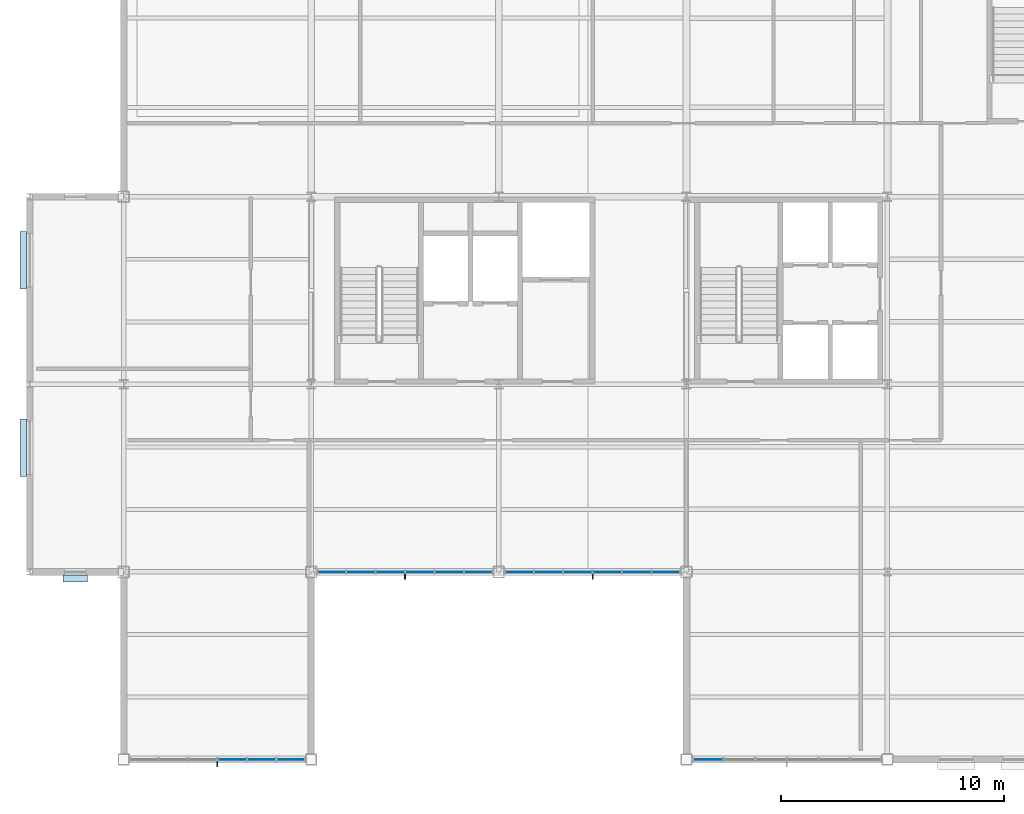
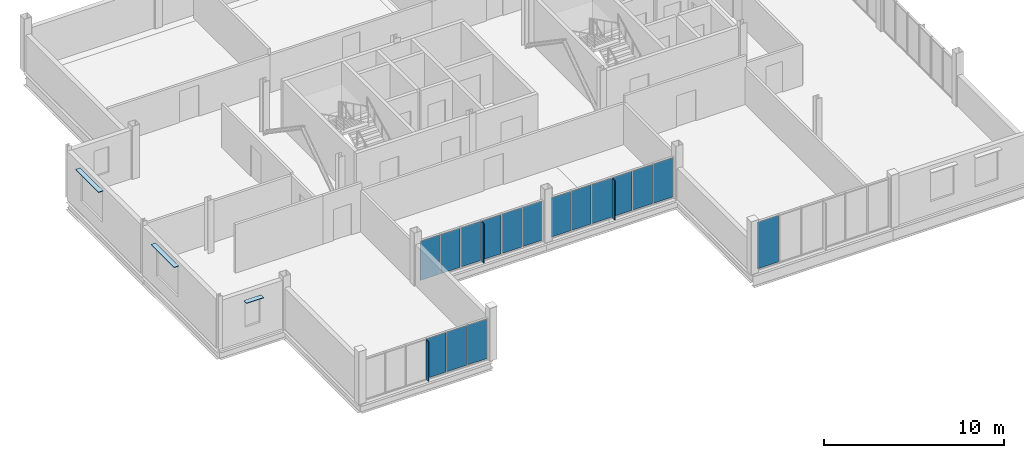
# One storey, part 11 of 19: 22 plates, 4 elements without a shape of their own.
"""IFC4 building model written with IfcOpenShell, lengths in metres."""

from ifc_helpers import new_model, si_unit, direction, frame, origin, origin_2d, place, context, subcontext, project, spatial, rectangle, extrude, material, layer, layer_set, type_object, element, aggregate, save


model = new_model("IFC4")

# Units and contexts
model_context = context("Model", 3, precision=1e-05, world=origin(), true_north=direction((0.0, 1.0)))
body_context = subcontext(model_context, "Body", "Model", "MODEL_VIEW")
ifc_project = project(units=[si_unit("LENGTHUNIT", "METRE"), si_unit("AREAUNIT", "SQUARE_METRE"), si_unit("VOLUMEUNIT", "CUBIC_METRE"), si_unit("PLANEANGLEUNIT", "RADIAN"), si_unit("MASSUNIT", "GRAM", prefix="KILO")], contexts=[model_context])

# Site, building, storey
site_placement = place(None, origin())
site = spatial("IfcSite", under=ifc_project, at=site_placement, CompositionType="ELEMENT")
building_placement = place(site_placement, origin())
building = spatial("IfcBuilding", under=site, at=building_placement, Name="Yukiwa Park Conservatory and Herbarium", CompositionType="ELEMENT")
storey_placement = place(building_placement, frame((0.0, 0.0, 31.800048828125)))
storey = spatial("IfcBuildingStorey", under=building, at=storey_placement, Name="L08", CompositionType="ELEMENT", Elevation=31.800048828125)

# Curtain wall, plates
ifc_material_1 = material(Name="Triple Low-E Insulated Glass", Category="glass")
ifc_layer_1 = layer(ifc_material_1, 0.248046875)
ifc_layer_set_1 = layer_set([ifc_layer_1], Name="Triple Low-E Insulated Glass")
curtain_wall_type = type_object("IfcCurtainWallType", Name="CW-TOWER-LAB-S-1400", PredefinedType="NOTDEFINED", material=ifc_layer_set_1)
curtain_wall_1_placement = place(storey_placement, origin())
curtain_wall_1 = element("IfcCurtainWall", 1, at=curtain_wall_1_placement, inside=storey, type_object=curtain_wall_type, Name="L08 unitised curtain wall CW-L08-093", PredefinedType="NOTDEFINED")
ifc_material_2 = material(Name="Triple Low-E Insulated Glass", Category="glass")
ifc_layer_2 = layer(ifc_material_2, 0.035888671875)
ifc_layer_set_2 = layer_set([ifc_layer_2], Name="Triple Low-E Insulated Glass")
plate_type_1 = type_object("IfcPlateType", Name="PL-CW-GLZ-36", PredefinedType="CURTAIN_PANEL", material=ifc_layer_set_2)
plate_1_placement = place(storey_placement, frame((129.658203125, 78.0, 0.06982421875), z_axis=(0.0, 0.0, 1.0), x_axis=(1.0, 0.0, 0.0)))
plate_1 = element("IfcPlate", 2, at=plate_1_placement, type_object=plate_type_1, Name="CW-L08-093 vision panel 4.1", PredefinedType="CURTAIN_PANEL", context=body_context, shape_type="SweptSolid", body=[
    extrude(rectangle(XDim=1.24658203125, YDim=0.035888671875, at=origin_2d()), origin(), (0.0, 0.0, 1.0), 2.68505859375),
])
plate_2_placement = place(storey_placement, frame((130.97509765625, 78.0, 0.06982421875), z_axis=(0.0, 0.0, 1.0), x_axis=(1.0, 0.0, 0.0)))
plate_2 = element("IfcPlate", 3, at=plate_2_placement, type_object=plate_type_1, Name="CW-L08-093 vision panel 5.1", PredefinedType="CURTAIN_PANEL", context=body_context, shape_type="SweptSolid", body=[
    extrude(rectangle(XDim=1.24658203125, YDim=0.035888671875, at=origin_2d()), origin(), (0.0, 0.0, 1.0), 2.68505859375),
])
plate_3_placement = place(storey_placement, frame((132.291748046875, 78.0, 0.06982421875), z_axis=(0.0, 0.0, 1.0), x_axis=(1.0, 0.0, 0.0)))
plate_3 = element("IfcPlate", 4, at=plate_3_placement, type_object=plate_type_1, Name="CW-L08-093 vision panel 6.1", PredefinedType="CURTAIN_PANEL", context=body_context, shape_type="SweptSolid", body=[
    extrude(rectangle(XDim=1.24658203125, YDim=0.035888671875, at=origin_2d()), origin(), (0.0, 0.0, 1.0), 2.68505859375),
])
aggregate(curtain_wall_1, [plate_1, plate_2, plate_3])

curtain_wall_2_placement = place(storey_placement, origin())
curtain_wall_2 = element("IfcCurtainWall", 5, at=curtain_wall_2_placement, inside=storey, type_object=curtain_wall_type, Name="L08 unitised curtain wall CW-L08-094", PredefinedType="NOTDEFINED")
plate_4_placement = place(storey_placement, frame((134.1083984375, 86.39990234375, 0.06982421875), z_axis=(0.0, 0.0, 1.0), x_axis=(1.0, 0.0, 0.0)))
plate_4 = element("IfcPlate", 6, at=plate_4_placement, type_object=plate_type_1, Name="CW-L08-094 vision panel 1.1", PredefinedType="CURTAIN_PANEL", context=body_context, shape_type="SweptSolid", body=[
    extrude(rectangle(XDim=1.24658203125, YDim=0.035888671875, at=origin_2d()), origin(), (0.0, 0.0, 1.0), 2.655029296875),
])
plate_5_placement = place(storey_placement, frame((135.425048828125, 86.39990234375, 0.06982421875), z_axis=(0.0, 0.0, 1.0), x_axis=(1.0, 0.0, 0.0)))
plate_5 = element("IfcPlate", 7, at=plate_5_placement, type_object=plate_type_1, Name="CW-L08-094 vision panel 2.1", PredefinedType="CURTAIN_PANEL", context=body_context, shape_type="SweptSolid", body=[
    extrude(rectangle(XDim=1.24658203125, YDim=0.035888671875, at=origin_2d()), origin(), (0.0, 0.0, 1.0), 2.655029296875),
])
plate_6_placement = place(storey_placement, frame((136.74169921875, 86.39990234375, 0.06982421875), z_axis=(0.0, 0.0, 1.0), x_axis=(1.0, 0.0, 0.0)))
plate_6 = element("IfcPlate", 8, at=plate_6_placement, type_object=plate_type_1, Name="CW-L08-094 vision panel 3.1", PredefinedType="CURTAIN_PANEL", context=body_context, shape_type="SweptSolid", body=[
    extrude(rectangle(XDim=1.24658203125, YDim=0.035888671875, at=origin_2d()), origin(), (0.0, 0.0, 1.0), 2.655029296875),
])
plate_7_placement = place(storey_placement, frame((138.058349609375, 86.39990234375, 0.06982421875), z_axis=(0.0, 0.0, 1.0), x_axis=(1.0, 0.0, 0.0)))
plate_7 = element("IfcPlate", 9, at=plate_7_placement, type_object=plate_type_1, Name="CW-L08-094 vision panel 4.1", PredefinedType="CURTAIN_PANEL", context=body_context, shape_type="SweptSolid", body=[
    extrude(rectangle(XDim=1.24658203125, YDim=0.035888671875, at=origin_2d()), origin(), (0.0, 0.0, 1.0), 2.655029296875),
])
plate_8_placement = place(storey_placement, frame((139.375, 86.39990234375, 0.06982421875), z_axis=(0.0, 0.0, 1.0), x_axis=(1.0, 0.0, 0.0)))
plate_8 = element("IfcPlate", 10, at=plate_8_placement, type_object=plate_type_1, Name="CW-L08-094 vision panel 5.1", PredefinedType="CURTAIN_PANEL", context=body_context, shape_type="SweptSolid", body=[
    extrude(rectangle(XDim=1.24658203125, YDim=0.035888671875, at=origin_2d()), origin(), (0.0, 0.0, 1.0), 2.655029296875),
])
plate_9_placement = place(storey_placement, frame((140.691650390625, 86.39990234375, 0.06982421875), z_axis=(0.0, 0.0, 1.0), x_axis=(1.0, 0.0, 0.0)))
plate_9 = element("IfcPlate", 11, at=plate_9_placement, type_object=plate_type_1, Name="CW-L08-094 vision panel 6.1", PredefinedType="CURTAIN_PANEL", context=body_context, shape_type="SweptSolid", body=[
    extrude(rectangle(XDim=1.24658203125, YDim=0.035888671875, at=origin_2d()), origin(), (0.0, 0.0, 1.0), 2.655029296875),
])
aggregate(curtain_wall_2, [plate_4, plate_5, plate_6, plate_7, plate_8, plate_9])

curtain_wall_3_placement = place(storey_placement, origin())
curtain_wall_3 = element("IfcCurtainWall", 12, at=curtain_wall_3_placement, inside=storey, type_object=curtain_wall_type, Name="L08 unitised curtain wall CW-L08-095", PredefinedType="NOTDEFINED")
plate_10_placement = place(storey_placement, frame((142.50830078125, 86.39990234375, 0.06982421875), z_axis=(0.0, 0.0, 1.0), x_axis=(1.0, 0.0, 0.0)))
plate_10 = element("IfcPlate", 13, at=plate_10_placement, type_object=plate_type_1, Name="CW-L08-095 vision panel 1.1", PredefinedType="CURTAIN_PANEL", context=body_context, shape_type="SweptSolid", body=[
    extrude(rectangle(XDim=1.24658203125, YDim=0.035888671875, at=origin_2d()), origin(), (0.0, 0.0, 1.0), 2.655029296875),
])
plate_11_placement = place(storey_placement, frame((143.824951171875, 86.39990234375, 0.06982421875), z_axis=(0.0, 0.0, 1.0), x_axis=(1.0, 0.0, 0.0)))
plate_11 = element("IfcPlate", 14, at=plate_11_placement, type_object=plate_type_1, Name="CW-L08-095 vision panel 2.1", PredefinedType="CURTAIN_PANEL", context=body_context, shape_type="SweptSolid", body=[
    extrude(rectangle(XDim=1.24658203125, YDim=0.035888671875, at=origin_2d()), origin(), (0.0, 0.0, 1.0), 2.655029296875),
])
plate_12_placement = place(storey_placement, frame((145.1416015625, 86.39990234375, 0.06982421875), z_axis=(0.0, 0.0, 1.0), x_axis=(1.0, 0.0, 0.0)))
plate_12 = element("IfcPlate", 15, at=plate_12_placement, type_object=plate_type_1, Name="CW-L08-095 vision panel 3.1", PredefinedType="CURTAIN_PANEL", context=body_context, shape_type="SweptSolid", body=[
    extrude(rectangle(XDim=1.24658203125, YDim=0.035888671875, at=origin_2d()), origin(), (0.0, 0.0, 1.0), 2.655029296875),
])
plate_13_placement = place(storey_placement, frame((146.458251953125, 86.39990234375, 0.06982421875), z_axis=(0.0, 0.0, 1.0), x_axis=(1.0, 0.0, 0.0)))
plate_13 = element("IfcPlate", 16, at=plate_13_placement, type_object=plate_type_1, Name="CW-L08-095 vision panel 4.1", PredefinedType="CURTAIN_PANEL", context=body_context, shape_type="SweptSolid", body=[
    extrude(rectangle(XDim=1.24658203125, YDim=0.035888671875, at=origin_2d()), origin(), (0.0, 0.0, 1.0), 2.655029296875),
])
plate_14_placement = place(storey_placement, frame((147.77490234375, 86.39990234375, 0.06982421875), z_axis=(0.0, 0.0, 1.0), x_axis=(1.0, 0.0, 0.0)))
plate_14 = element("IfcPlate", 17, at=plate_14_placement, type_object=plate_type_1, Name="CW-L08-095 vision panel 5.1", PredefinedType="CURTAIN_PANEL", context=body_context, shape_type="SweptSolid", body=[
    extrude(rectangle(XDim=1.24658203125, YDim=0.035888671875, at=origin_2d()), origin(), (0.0, 0.0, 1.0), 2.655029296875),
])
plate_15_placement = place(storey_placement, frame((149.091796875, 86.39990234375, 0.06982421875), z_axis=(0.0, 0.0, 1.0), x_axis=(1.0, 0.0, 0.0)))
plate_15 = element("IfcPlate", 18, at=plate_15_placement, type_object=plate_type_1, Name="CW-L08-095 vision panel 6.1", PredefinedType="CURTAIN_PANEL", context=body_context, shape_type="SweptSolid", body=[
    extrude(rectangle(XDim=1.24658203125, YDim=0.035888671875, at=origin_2d()), origin(), (0.0, 0.0, 1.0), 2.655029296875),
])
aggregate(curtain_wall_3, [plate_10, plate_11, plate_12, plate_13, plate_14, plate_15])

# Curtain wall, plate
curtain_wall_4_placement = place(storey_placement, origin())
curtain_wall_4 = element("IfcCurtainWall", 19, at=curtain_wall_4_placement, inside=storey, type_object=curtain_wall_type, Name="L08 unitised curtain wall CW-L08-096", PredefinedType="NOTDEFINED")
plate_16_placement = place(storey_placement, frame((150.958251953125, 78.0, 0.06982421875), z_axis=(0.0, 0.0, 1.0), x_axis=(1.0, 0.0, 0.0)))
plate_16 = element("IfcPlate", 20, at=plate_16_placement, type_object=plate_type_1, Name="CW-L08-096 vision panel 1.1", PredefinedType="CURTAIN_PANEL", context=body_context, shape_type="SweptSolid", body=[
    extrude(rectangle(XDim=1.3466796875, YDim=0.035888671875, at=origin_2d()), origin(), (0.0, 0.0, 1.0), 3.155029296875),
])
aggregate(curtain_wall_4, [plate_16])

# Plates
ifc_material_3 = material(Name="Anodised Aluminium", Category="aluminium")
ifc_layer_3 = layer(ifc_material_3, 0.050048828125)
ifc_layer_set_3 = layer_set([ifc_layer_3], Name="Anodised Aluminium")
plate_type_2 = type_object("IfcPlateType", Name="PL-FIN-ALU-50", PredefinedType="USERDEFINED", material=ifc_layer_set_3)
plate_17_placement = place(storey_placement, frame((129.0, 77.81005859375, 0.059814453125), z_axis=(0.0, 0.0, 1.0), x_axis=(1.0, 0.0, 0.0)))
element("IfcPlate", 21, at=plate_17_placement, inside=storey, type_object=plate_type_2, Name="CW-L08-093 exterior vertical shading fin", ObjectType="SHADING FIN", PredefinedType="USERDEFINED", context=body_context, shape_type="SweptSolid", body=[
    extrude(rectangle(XDim=0.050048828125, YDim=0.280029296875, at=origin_2d()), origin(), (0.0, 0.0, 1.0), 2.705078125),
])
for number, where, z_axis, x_axis, name in (
    (22, (137.39990234375, 86.2099609375, 0.06005859375), (0.0, 0.0, 1.0), (1.0, 0.0, 0.0), "CW-L08-094 exterior vertical shading fin"),
    (23, (145.800048828125, 86.2099609375, 0.06005859375), (0.0, 0.0, 1.0), (1.0, 0.0, 0.0), "CW-L08-095 exterior vertical shading fin"),
):
    element("IfcPlate", number, at=place(storey_placement, frame(where, z_axis=z_axis, x_axis=x_axis)), inside=storey, type_object=plate_type_2, Name=name, ObjectType="SHADING FIN", PredefinedType="USERDEFINED", context=body_context, shape_type="SweptSolid", body=[
        extrude(rectangle(XDim=0.050048828125, YDim=0.280029296875, at=origin_2d()), origin(), (0.0, 0.0, 1.0), 2.675048828125),
    ])
ifc_material_4 = material(Name="Anodised Aluminium", Category="aluminium")
ifc_layer_4 = layer(ifc_material_4, 0.0400390625)
ifc_layer_set_4 = layer_set([ifc_layer_4], Name="Anodised Aluminium")
plate_type_3 = type_object("IfcPlateType", Name="PL-SHADE-ALU-40", PredefinedType="SHEET", material=ifc_layer_set_4)
for number, where, z_axis, x_axis, name in (
    (24, (120.31005859375, 100.35791015625, 2.989990234375), (0.0, 0.0, 1.0), (0.0, -1.0, 0.0), "L08 snow-shedding window hood 168"),
    (25, (120.31005859375, 91.9580078125, 2.989990234375), (0.0, 0.0, 1.0), (0.0, -1.0, 0.0), "L08 snow-shedding window hood 169"),
):
    element("IfcPlate", number, at=place(storey_placement, frame(where, z_axis=z_axis, x_axis=x_axis)), inside=storey, type_object=plate_type_3, Name=name, PredefinedType="SHEET", context=body_context, shape_type="SweptSolid", body=[
        extrude(rectangle(XDim=2.56005859375, YDim=0.300048828125, at=origin_2d()), origin(), (0.0, 0.0, 1.0), 0.0400390625),
    ])
plate_18_placement = place(storey_placement, frame((122.637939453125, 86.110107421875, 2.739990234375), z_axis=(0.0, 0.0, 1.0), x_axis=(1.0, 0.0, 0.0)))
element("IfcPlate", 26, at=plate_18_placement, inside=storey, type_object=plate_type_3, Name="L08 snow-shedding window hood 170", PredefinedType="SHEET", context=body_context, shape_type="SweptSolid", body=[
    extrude(rectangle(XDim=1.110107421875, YDim=0.300048828125, at=origin_2d()), origin(), (0.0, 0.0, 1.0), 0.0400390625),
])

save(model, "model.ifc")
